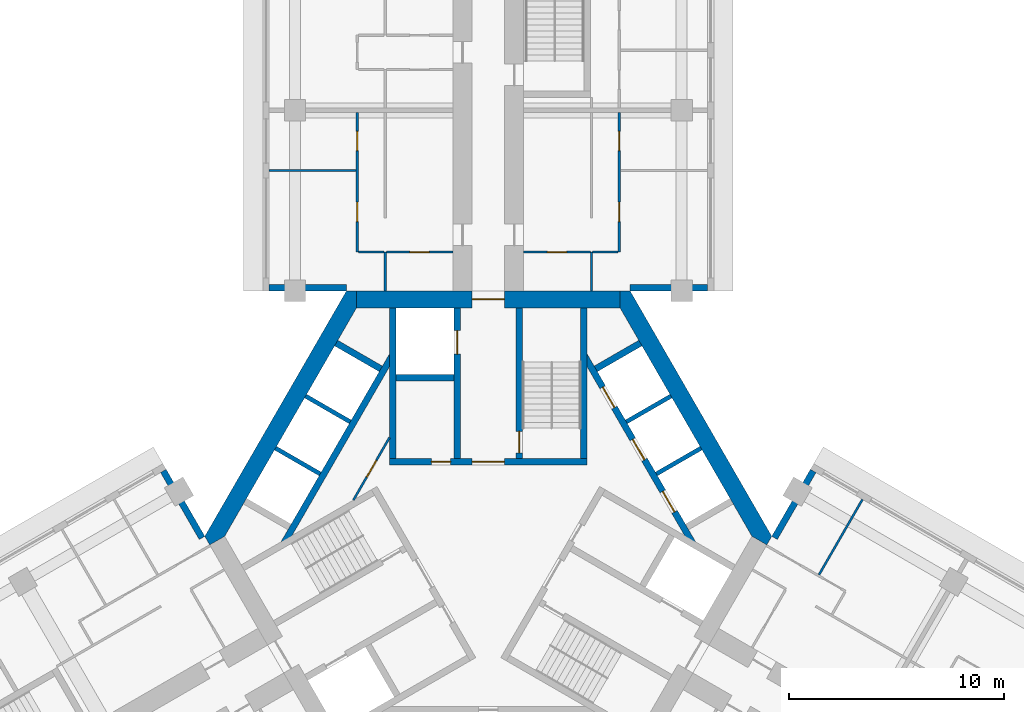
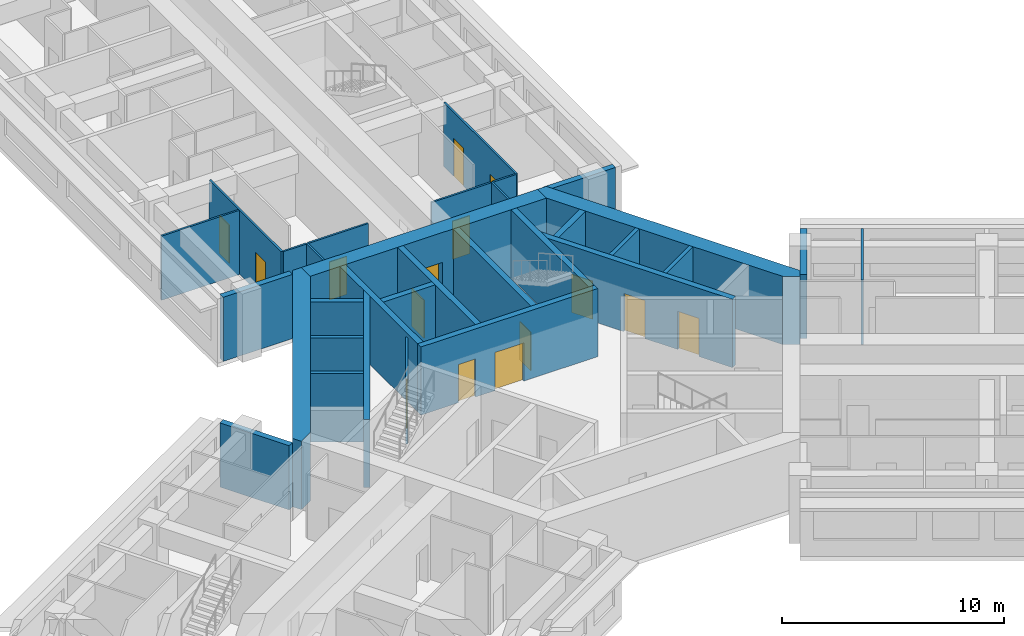
# One storey, part 8 of 16: 32 walls, 15 doors, 15 openings.
"""IFC4 building model written with IfcOpenShell, lengths in metres."""

from ifc_helpers import new_model, si_unit, direction, frame, frame_2d, origin, place, context, subcontext, project, spatial, polyline, rectangle, outline, extrude, material, layer, layer_set, type_object, element, fill, save


model = new_model("IFC4")

# Units and contexts
model_context = context("Model", 3, precision=1e-05, world=origin(), true_north=direction((0.0, 1.0)))
body_context = subcontext(model_context, "Body", "Model", "MODEL_VIEW")
ifc_project = project(units=[si_unit("LENGTHUNIT", "METRE"), si_unit("AREAUNIT", "SQUARE_METRE"), si_unit("VOLUMEUNIT", "CUBIC_METRE"), si_unit("PLANEANGLEUNIT", "RADIAN"), si_unit("MASSUNIT", "GRAM", prefix="KILO")], contexts=[model_context])

# Site, building, storey
site_placement = place(None, origin())
site = spatial("IfcSite", under=ifc_project, at=site_placement, CompositionType="ELEMENT")
building_placement = place(site_placement, origin())
building = spatial("IfcBuilding", under=site, at=building_placement, Name="Impinga Residences", CompositionType="ELEMENT")
storey_placement = place(building_placement, frame((0.0, 0.0, 106.0)))
storey = spatial("IfcBuildingStorey", under=building, at=storey_placement, Name="L25", CompositionType="ELEMENT", Elevation=106.0)

# Wall, opening, door
ifc_material_1 = material(Name="Concrete blockwork", Category="masonry")
ifc_layer_1 = layer(ifc_material_1, 0.10009765625)
ifc_layer_set_1 = layer_set([ifc_layer_1], Name="CP1 core room partition, blockwork 100")
wall_type_1 = type_object("IfcWallType", Name="CP1 core room partition, blockwork 100", PredefinedType="PARTITIONING", material=ifc_layer_set_1)
wall_1_placement = place(storey_placement, frame((-6.280029296875, 1.685791015625, 0.0), z_axis=(0.0, 0.0, 1.0), x_axis=(0.499976138585, 0.866039179741, 0.0)))
wall_1 = element("IfcWall", 1, at=wall_1_placement, inside=storey, type_object=wall_type_1, Name="Core room partition, blockwork L25:CORE:high:FP", PredefinedType="PARTITIONING", context=body_context, shape_type="SweptSolid", body=[
    extrude(rectangle(XDim=3.360107421875, YDim=0.10009765625, at=frame_2d((1.68017578125, 0.0))), origin(), (0.0, 0.0, 1.0), 3.530029296875),
])
opening_1_placement = place(wall_1_placement, frame((1.22998046875, 0.0, 0.0)))
opening_1 = element("IfcOpeningElement", 2, at=opening_1_placement, cuts=wall_1, Name="Opening D6", PredefinedType="OPENING", context=body_context, shape_type="SweptSolid", body=[
    extrude(rectangle(XDim=0.89990234375, YDim=2.10009765625, at=frame_2d((0.449951171875, 1.050048828125))), frame((0.0, 0.06005859375, 0.0), z_axis=(0.0, -1.0, 0.0), x_axis=(1.0, 0.0, 0.0)), (0.0, 0.0, 1.0), 0.1201171875),
])
ifc_material_2 = material(Name="Timber door set", Category="wood")
door_type_1 = type_object("IfcDoorType", Name="D6 riser and store door 900x2100", OperationType="SINGLE_SWING_LEFT", PredefinedType="DOOR", material=ifc_material_2)
door_1_placement = place(opening_1_placement, origin())
door_1 = element("IfcDoor", 3, at=door_1_placement, inside=storey, type_object=door_type_1, Name="Refuse and recycling room door", OperationType="SINGLE_SWING_RIGHT", OverallHeight=2.10009765625, OverallWidth=0.89990234375, PredefinedType="DOOR", context=body_context, shape_type="SweptSolid", body=[
    extrude(rectangle(XDim=0.89990234375, YDim=2.10009765625, at=frame_2d((0.449951171875, 1.050048828125))), frame((0.0, 0.02490234375, 0.0), z_axis=(0.0, -1.0, 0.0), x_axis=(1.0, 0.0, 0.0)), (0.0, 0.0, 1.0), 0.050048828125),
])
fill(opening_1, door_1)

# Walls
ifc_material_3 = material(Name="Terracotta rainscreen on blockwork", Category="masonry")
ifc_layer_2 = layer(ifc_material_3, 0.300048828125)
ifc_layer_set_2 = layer_set([ifc_layer_2], Name="EW1 external wall, terracotta rainscreen on blockwork 300")
wall_type_2 = type_object("IfcWallType", Name="EW1 external wall, terracotta rainscreen on blockwork 300", PredefinedType="SOLIDWALL", material=ifc_layer_set_2)
wall_2_placement = place(storey_placement, frame((-15.1298828125, 3.042724609375, 0.0), z_axis=(0.0, 0.0, 1.0), x_axis=(0.500012057535, -0.866018442252, 0.0)))
element("IfcWall", 4, at=wall_2_placement, inside=storey, type_object=wall_type_2, Name="External wall EW1 L25", PredefinedType="SOLIDWALL", context=body_context, shape_type="SweptSolid", body=[
    extrude(rectangle(XDim=3.60009765625, YDim=0.300048828125, at=frame_2d((1.800048828125, 0.0))), origin(), (0.0, 0.0, 1.0), 3.530029296875),
])
for number, where, z_axis, x_axis, name in (
    (5, (-6.60009765625, 11.58154296875, 0.0), (0.0, 0.0, 1.0), (-1.0, 0.0, 0.0), "External wall EW1 L25"),
    (6, (10.199951171875, 11.58154296875, 0.0), (0.0, 0.0, 1.0), (-1.0, 0.0, 0.0), "External wall EW1 L25"),
):
    element("IfcWall", number, at=place(storey_placement, frame(where, z_axis=z_axis, x_axis=x_axis)), inside=storey, type_object=wall_type_2, Name=name, PredefinedType="SOLIDWALL", context=body_context, shape_type="SweptSolid", body=[
        extrude(rectangle(XDim=3.599853515625, YDim=0.300048828125, at=frame_2d((1.7998046875, 0.0))), origin(), (0.0, 0.0, 1.0), 3.530029296875),
    ])
wall_3_placement = place(storey_placement, frame((13.329833984375, -0.074951171875, 0.0), z_axis=(0.0, 0.0, 1.0), x_axis=(0.500012057535, 0.866018442252, 0.0)))
element("IfcWall", 7, at=wall_3_placement, inside=storey, type_object=wall_type_2, Name="External wall EW1 L25", PredefinedType="SOLIDWALL", context=body_context, shape_type="SweptSolid", body=[
    extrude(rectangle(XDim=3.60009765625, YDim=0.300048828125, at=frame_2d((1.800048828125, 0.0))), origin(), (0.0, 0.0, 1.0), 3.530029296875),
])
ifc_material_4 = material(Name="Gypsum board on steel studs", Category="steel")
ifc_layer_3 = layer(ifc_material_4, 0.10009765625)
ifc_layer_set_3 = layer_set([ifc_layer_3], Name="Gypsum board on steel studs")
wall_type_3 = type_object("IfcWallType", Name="IP1 partition 100", PredefinedType="PARTITIONING", material=ifc_layer_set_3)
wall_4_placement = place(storey_placement, frame((-4.800048828125, 11.431640625, 0.0), z_axis=(0.0, 0.0, 1.0), x_axis=(0.0, 1.0, 0.0)))
element("IfcWall", 8, at=wall_4_placement, inside=storey, type_object=wall_type_3, Name="Partition L25-NA1:DIV0", PredefinedType="PARTITIONING", context=body_context, shape_type="SweptSolid", body=[
    extrude(rectangle(XDim=1.7998046875, YDim=0.10009765625, at=frame_2d((0.89990234375, 0.0))), origin(), (0.0, 0.0, 1.0), 3.530029296875),
])

# Wall, openings, doors
wall_5_placement = place(storey_placement, frame((-6.10009765625, 13.2314453125, 0.0), z_axis=(0.0, 0.0, 1.0), x_axis=(0.0, 1.0, 0.0)))
wall_5 = element("IfcWall", 9, at=wall_5_placement, inside=storey, type_object=wall_type_3, Name="Partition L25-NA1:STRIP", PredefinedType="PARTITIONING", context=body_context, shape_type="SweptSolid", body=[
    extrude(rectangle(XDim=6.5, YDim=0.10009765625, at=frame_2d((3.25, 0.0))), origin(), (0.0, 0.0, 1.0), 3.530029296875),
])
opening_2_placement = place(wall_5_placement, frame((1.425048828125, 0.0, 0.0)))
opening_2 = element("IfcOpeningElement", 10, at=opening_2_placement, cuts=wall_5, Name="Opening D2", PredefinedType="OPENING", context=body_context, shape_type="SweptSolid", body=[
    extrude(rectangle(XDim=0.89990234375, YDim=2.10009765625, at=frame_2d((0.449951171875, 1.050048828125))), frame((0.0, 0.06005859375, 0.0), z_axis=(0.0, -1.0, 0.0), x_axis=(1.0, 0.0, 0.0)), (0.0, 0.0, 1.0), 0.1201171875),
])
opening_3_placement = place(wall_5_placement, frame((4.72509765625, 0.0, 0.0)))
opening_3 = element("IfcOpeningElement", 11, at=opening_3_placement, cuts=wall_5, Name="Opening D2", PredefinedType="OPENING", context=body_context, shape_type="SweptSolid", body=[
    extrude(rectangle(XDim=0.89990234375, YDim=2.10009765625, at=frame_2d((0.449951171875, 1.050048828125))), frame((0.0, 0.06005859375, 0.0), z_axis=(0.0, -1.0, 0.0), x_axis=(1.0, 0.0, 0.0)), (0.0, 0.0, 1.0), 0.1201171875),
])
door_type_2 = type_object("IfcDoorType", Name="D2 internal door 900x2100", OperationType="SINGLE_SWING_LEFT", PredefinedType="DOOR", material=ifc_material_2)
door_2_placement = place(opening_2_placement, origin())
door_2 = element("IfcDoor", 12, at=door_2_placement, inside=storey, type_object=door_type_2, Name="Apartment L25-NA1 room door", OperationType="SINGLE_SWING_LEFT", OverallHeight=2.10009765625, OverallWidth=0.89990234375, PredefinedType="DOOR", context=body_context, shape_type="SweptSolid", body=[
    extrude(rectangle(XDim=0.89990234375, YDim=2.10009765625, at=frame_2d((0.449951171875, 1.050048828125))), frame((0.0, 0.02490234375, 0.0), z_axis=(0.0, -1.0, 0.0), x_axis=(1.0, 0.0, 0.0)), (0.0, 0.0, 1.0), 0.050048828125),
])
fill(opening_2, door_2)
door_3_placement = place(opening_3_placement, origin())
door_3 = element("IfcDoor", 13, at=door_3_placement, inside=storey, type_object=door_type_2, Name="Apartment L25-NA1 room door", OperationType="SINGLE_SWING_RIGHT", OverallHeight=2.10009765625, OverallWidth=0.89990234375, PredefinedType="DOOR", context=body_context, shape_type="SweptSolid", body=[
    extrude(rectangle(XDim=0.89990234375, YDim=2.10009765625, at=frame_2d((0.449951171875, 1.050048828125))), frame((0.0, 0.02490234375, 0.0), z_axis=(0.0, -1.0, 0.0), x_axis=(1.0, 0.0, 0.0)), (0.0, 0.0, 1.0), 0.050048828125),
])
fill(opening_3, door_3)

# Wall
wall_6_placement = place(storey_placement, frame((-4.85009765625, 13.2314453125, 0.0), z_axis=(0.0, 0.0, 1.0), x_axis=(-1.0, 0.0, 0.0)))
element("IfcWall", 14, at=wall_6_placement, inside=storey, type_object=wall_type_3, Name="Partition L25-NA1:SE0", PredefinedType="PARTITIONING", context=body_context, shape_type="SweptSolid", body=[
    extrude(rectangle(XDim=1.199951171875, YDim=0.10009765625, at=frame_2d((0.60009765625, 0.0))), origin(), (0.0, 0.0, 1.0), 3.530029296875),
])

# Wall, opening, door
wall_7_placement = place(storey_placement, frame((-1.64990234375, 13.2314453125, 0.0), z_axis=(0.0, 0.0, 1.0), x_axis=(-1.0, 0.0, 0.0)))
wall_7 = element("IfcWall", 15, at=wall_7_placement, inside=storey, type_object=wall_type_3, Name="Partition L25-NA1:IB1", PredefinedType="PARTITIONING", context=body_context, shape_type="SweptSolid", body=[
    extrude(rectangle(XDim=3.10009765625, YDim=0.10009765625, at=frame_2d((1.550048828125, 0.0))), origin(), (0.0, 0.0, 1.0), 3.530029296875),
])
opening_4_placement = place(wall_7_placement, frame((1.10009765625, 0.0, 0.0)))
opening_4 = element("IfcOpeningElement", 16, at=opening_4_placement, cuts=wall_7, Name="Opening D2", PredefinedType="OPENING", context=body_context, shape_type="SweptSolid", body=[
    extrude(rectangle(XDim=0.89990234375, YDim=2.10009765625, at=frame_2d((0.449951171875, 1.050048828125))), frame((0.0, 0.06005859375, 0.0), z_axis=(0.0, -1.0, 0.0), x_axis=(1.0, 0.0, 0.0)), (0.0, 0.0, 1.0), 0.1201171875),
])
door_4_placement = place(opening_4_placement, origin())
door_4 = element("IfcDoor", 17, at=door_4_placement, inside=storey, type_object=door_type_2, Name="Apartment L25-NA1 bathroom door", OperationType="SINGLE_SWING_LEFT", OverallHeight=2.10009765625, OverallWidth=0.89990234375, PredefinedType="DOOR", context=body_context, shape_type="SweptSolid", body=[
    extrude(rectangle(XDim=0.89990234375, YDim=2.10009765625, at=frame_2d((0.449951171875, 1.050048828125))), frame((0.0, 0.02490234375, 0.0), z_axis=(0.0, -1.0, 0.0), x_axis=(1.0, 0.0, 0.0)), (0.0, 0.0, 1.0), 0.050048828125),
])
fill(opening_4, door_4)

# Walls
wall_8_placement = place(storey_placement, frame((-6.14990234375, 17.031494140625, 0.0), z_axis=(0.0, 0.0, 1.0), x_axis=(-1.0, 0.0, 0.0)))
element("IfcWall", 18, at=wall_8_placement, inside=storey, type_object=wall_type_3, Name="Partition L25-NA1:OB1", PredefinedType="PARTITIONING", context=body_context, shape_type="SweptSolid", body=[
    extrude(rectangle(XDim=4.050048828125, YDim=0.10009765625, at=frame_2d((2.02490234375, 0.0))), origin(), (0.0, 0.0, 1.0), 3.530029296875),
])
wall_9_placement = place(storey_placement, frame((4.800048828125, 11.431640625, 0.0), z_axis=(0.0, 0.0, 1.0), x_axis=(0.0, 1.0, 0.0)))
element("IfcWall", 19, at=wall_9_placement, inside=storey, type_object=wall_type_3, Name="Partition L25-NF1:DIV0", PredefinedType="PARTITIONING", context=body_context, shape_type="SweptSolid", body=[
    extrude(rectangle(XDim=1.7998046875, YDim=0.10009765625, at=frame_2d((0.89990234375, 0.0))), origin(), (0.0, 0.0, 1.0), 3.530029296875),
])

# Wall, openings, doors
wall_10_placement = place(storey_placement, frame((6.10009765625, 13.2314453125, 0.0), z_axis=(0.0, 0.0, 1.0), x_axis=(0.0, 1.0, 0.0)))
wall_10 = element("IfcWall", 20, at=wall_10_placement, inside=storey, type_object=wall_type_3, Name="Partition L25-NF1:STRIP", PredefinedType="PARTITIONING", context=body_context, shape_type="SweptSolid", body=[
    extrude(rectangle(XDim=6.5, YDim=0.10009765625, at=frame_2d((3.25, 0.0))), origin(), (0.0, 0.0, 1.0), 3.530029296875),
])
opening_5_placement = place(wall_10_placement, frame((1.425048828125, 0.0, 0.0)))
opening_5 = element("IfcOpeningElement", 21, at=opening_5_placement, cuts=wall_10, Name="Opening D2", PredefinedType="OPENING", context=body_context, shape_type="SweptSolid", body=[
    extrude(rectangle(XDim=0.89990234375, YDim=2.10009765625, at=frame_2d((0.449951171875, 1.050048828125))), frame((0.0, 0.06005859375, 0.0), z_axis=(0.0, -1.0, 0.0), x_axis=(1.0, 0.0, 0.0)), (0.0, 0.0, 1.0), 0.1201171875),
])
opening_6_placement = place(wall_10_placement, frame((4.72509765625, 0.0, 0.0)))
opening_6 = element("IfcOpeningElement", 22, at=opening_6_placement, cuts=wall_10, Name="Opening D2", PredefinedType="OPENING", context=body_context, shape_type="SweptSolid", body=[
    extrude(rectangle(XDim=0.89990234375, YDim=2.10009765625, at=frame_2d((0.449951171875, 1.050048828125))), frame((0.0, 0.06005859375, 0.0), z_axis=(0.0, -1.0, 0.0), x_axis=(1.0, 0.0, 0.0)), (0.0, 0.0, 1.0), 0.1201171875),
])
door_5_placement = place(opening_5_placement, origin())
door_5 = element("IfcDoor", 23, at=door_5_placement, inside=storey, type_object=door_type_2, Name="Apartment L25-NF1 room door", OperationType="SINGLE_SWING_LEFT", OverallHeight=2.10009765625, OverallWidth=0.89990234375, PredefinedType="DOOR", context=body_context, shape_type="SweptSolid", body=[
    extrude(rectangle(XDim=0.89990234375, YDim=2.10009765625, at=frame_2d((0.449951171875, 1.050048828125))), frame((0.0, 0.02490234375, 0.0), z_axis=(0.0, -1.0, 0.0), x_axis=(1.0, 0.0, 0.0)), (0.0, 0.0, 1.0), 0.050048828125),
])
fill(opening_5, door_5)
door_6_placement = place(opening_6_placement, origin())
door_6 = element("IfcDoor", 24, at=door_6_placement, inside=storey, type_object=door_type_2, Name="Apartment L25-NF1 room door", OperationType="SINGLE_SWING_RIGHT", OverallHeight=2.10009765625, OverallWidth=0.89990234375, PredefinedType="DOOR", context=body_context, shape_type="SweptSolid", body=[
    extrude(rectangle(XDim=0.89990234375, YDim=2.10009765625, at=frame_2d((0.449951171875, 1.050048828125))), frame((0.0, 0.02490234375, 0.0), z_axis=(0.0, -1.0, 0.0), x_axis=(1.0, 0.0, 0.0)), (0.0, 0.0, 1.0), 0.050048828125),
])
fill(opening_6, door_6)

# Wall
wall_11_placement = place(storey_placement, frame((4.85009765625, 13.2314453125, 0.0), z_axis=(0.0, 0.0, 1.0), x_axis=(1.0, 0.0, 0.0)))
element("IfcWall", 25, at=wall_11_placement, inside=storey, type_object=wall_type_3, Name="Partition L25-NF1:SE0", PredefinedType="PARTITIONING", context=body_context, shape_type="SweptSolid", body=[
    extrude(rectangle(XDim=1.199951171875, YDim=0.10009765625, at=frame_2d((0.60009765625, 0.0))), origin(), (0.0, 0.0, 1.0), 3.530029296875),
])

# Wall, opening, door
wall_12_placement = place(storey_placement, frame((1.64990234375, 13.2314453125, 0.0), z_axis=(0.0, 0.0, 1.0), x_axis=(1.0, 0.0, 0.0)))
wall_12 = element("IfcWall", 26, at=wall_12_placement, inside=storey, type_object=wall_type_3, Name="Partition L25-NF1:IB1", PredefinedType="PARTITIONING", context=body_context, shape_type="SweptSolid", body=[
    extrude(rectangle(XDim=3.10009765625, YDim=0.10009765625, at=frame_2d((1.550048828125, 0.0))), origin(), (0.0, 0.0, 1.0), 3.530029296875),
])
opening_7_placement = place(wall_12_placement, frame((1.10009765625, 0.0, 0.0)))
opening_7 = element("IfcOpeningElement", 27, at=opening_7_placement, cuts=wall_12, Name="Opening D2", PredefinedType="OPENING", context=body_context, shape_type="SweptSolid", body=[
    extrude(rectangle(XDim=0.89990234375, YDim=2.10009765625, at=frame_2d((0.449951171875, 1.050048828125))), frame((0.0, 0.06005859375, 0.0), z_axis=(0.0, -1.0, 0.0), x_axis=(1.0, 0.0, 0.0)), (0.0, 0.0, 1.0), 0.1201171875),
])
door_7_placement = place(opening_7_placement, origin())
door_7 = element("IfcDoor", 28, at=door_7_placement, inside=storey, type_object=door_type_2, Name="Apartment L25-NF1 bathroom door", OperationType="SINGLE_SWING_LEFT", OverallHeight=2.10009765625, OverallWidth=0.89990234375, PredefinedType="DOOR", context=body_context, shape_type="SweptSolid", body=[
    extrude(rectangle(XDim=0.89990234375, YDim=2.10009765625, at=frame_2d((0.449951171875, 1.050048828125))), frame((0.0, 0.02490234375, 0.0), z_axis=(0.0, -1.0, 0.0), x_axis=(1.0, 0.0, 0.0)), (0.0, 0.0, 1.0), 0.050048828125),
])
fill(opening_7, door_7)

# Wall
wall_13_placement = place(storey_placement, frame((15.39990234375, -1.789794921875, 0.0), z_axis=(0.0, 0.0, 1.0), x_axis=(0.499964223975, 0.866046058097, 0.0)))
element("IfcWall", 29, at=wall_13_placement, inside=storey, type_object=wall_type_3, Name="Partition L25-EA1:OB1", PredefinedType="PARTITIONING", context=body_context, shape_type="SweptSolid", body=[
    extrude(rectangle(XDim=4.050048828125, YDim=0.10009765625, at=frame_2d((2.02490234375, 0.0))), origin(), (0.0, 0.0, 1.0), 3.530029296875),
])

# Wall, opening, door
ifc_material_5 = material(Name="Concrete C60/75", Category="concrete")
ifc_layer_4 = layer(ifc_material_5, 0.800048828125)
ifc_layer_set_4 = layer_set([ifc_layer_4], Name="Concrete C60/75")
wall_type_4 = type_object("IfcWallType", Name="SW2 core wall 800", PredefinedType="SHEAR", material=ifc_layer_set_4)
wall_14_placement = place(storey_placement, frame((-6.13818359375, 11.031494140625, 0.0), z_axis=(0.0, 0.0, 1.0), x_axis=(1.0, 0.0, 0.0)))
wall_14 = element("IfcWall", 30, at=wall_14_placement, inside=storey, type_object=wall_type_4, Name="Core wall SW2 N:FACE L25", PredefinedType="SHEAR", context=body_context, shape_type="SweptSolid", body=[
    extrude(rectangle(XDim=12.2763671875, YDim=0.800048828125, at=frame_2d((6.13818359375, 0.0))), origin(), (0.0, 0.0, 1.0), 3.75),
])
opening_8_placement = place(wall_14_placement, frame((5.38818359375, 0.0, 0.0)))
opening_8 = element("IfcOpeningElement", 31, at=opening_8_placement, cuts=wall_14, Name="Opening D4", PredefinedType="OPENING", context=body_context, shape_type="SweptSolid", body=[
    extrude(rectangle(XDim=1.5, YDim=2.10009765625, at=frame_2d((0.75, 1.050048828125))), frame((0.0, 0.409912109375, 0.0), z_axis=(0.0, -1.0, 0.0), x_axis=(1.0, 0.0, 0.0)), (0.0, 0.0, 1.0), 0.820068359375),
])
door_type_3 = type_object("IfcDoorType", Name="D4 lobby door pair 1500x2100", OperationType="DOUBLE_DOOR_DOUBLE_SWING", PredefinedType="DOOR", material=ifc_material_2)
door_8_placement = place(opening_8_placement, origin())
door_8 = element("IfcDoor", 32, at=door_8_placement, inside=storey, type_object=door_type_3, Name="Lobby door N", OperationType="DOUBLE_DOOR_DOUBLE_SWING", OverallHeight=2.10009765625, OverallWidth=1.5, PredefinedType="DOOR", context=body_context, shape_type="SweptSolid", body=[
    extrude(rectangle(XDim=1.5, YDim=2.10009765625, at=frame_2d((0.75, 1.050048828125))), frame((0.0, 0.02490234375, 0.0), z_axis=(0.0, -1.0, 0.0), x_axis=(1.0, 0.0, 0.0)), (0.0, 0.0, 1.0), 0.050048828125),
])
fill(opening_8, door_8)

# Walls
wall_15_placement = place(storey_placement, origin())
element("IfcWall", 33, at=wall_15_placement, inside=storey, type_object=wall_type_4, Name="Core wall SW2 W:EXPOSED L25", PredefinedType="SHEAR", context=body_context, shape_type="SweptSolid", body=[
    extrude(outline(polyline([(13.199951171875, 0.0), (6.60009765625, 11.431640625), (6.13818359375, 11.431640625), (6.13818359375, 10.631591796875), (12.276123046875, 0.0), (12.968994140625, -0.39990234375), (13.199951171875, 0.0)])), origin(), (0.0, 0.0, 1.0), 3.75),
])
wall_16_placement = place(storey_placement, origin())
element("IfcWall", 34, at=wall_16_placement, inside=storey, type_object=wall_type_4, Name="Core wall SW2 E:EXPOSED L25", PredefinedType="SHEAR", context=body_context, shape_type="SweptSolid", body=[
    extrude(outline(polyline([(-6.60009765625, 11.431640625), (-13.199951171875, 0.0), (-12.968994140625, -0.39990234375), (-12.276123046875, 0.0), (-6.13818359375, 10.631591796875), (-6.13818359375, 11.431640625), (-6.60009765625, 11.431640625)])), origin(), (0.0, 0.0, 1.0), 3.75),
])

# Wall, openings, doors
ifc_material_6 = material(Name="Concrete C70/85", Category="concrete")
ifc_layer_5 = layer(ifc_material_6, 0.300048828125)
ifc_layer_set_5 = layer_set([ifc_layer_5], Name="Concrete C70/85")
wall_type_5 = type_object("IfcWallType", Name="SW5 core inner wall, stairs, shafts and lobbies 300", PredefinedType="SHEAR", material=ifc_layer_set_5)
wall_17_placement = place(storey_placement, frame((-4.60009765625, 3.47998046875, 0.0), z_axis=(0.0, 0.0, 1.0), x_axis=(1.0, 0.0, 0.0)))
wall_17 = element("IfcWall", 35, at=wall_17_placement, inside=storey, type_object=wall_type_5, Name="Core wall SW5 N:ZONE L25", PredefinedType="SHEAR", context=body_context, shape_type="SweptSolid", body=[
    extrude(rectangle(XDim=9.2001953125, YDim=0.300048828125, at=frame_2d((4.60009765625, 0.0))), origin(), (0.0, 0.0, 1.0), 3.75),
])
opening_9_placement = place(wall_17_placement, frame((3.85009765625, 0.0, 0.0)))
opening_9 = element("IfcOpeningElement", 36, at=opening_9_placement, cuts=wall_17, Name="Opening D4", PredefinedType="OPENING", context=body_context, shape_type="SweptSolid", body=[
    extrude(rectangle(XDim=1.5, YDim=2.10009765625, at=frame_2d((0.75, 1.050048828125))), frame((0.0, 0.159912109375, 0.0), z_axis=(0.0, -1.0, 0.0), x_axis=(1.0, 0.0, 0.0)), (0.0, 0.0, 1.0), 0.320068359375),
])
opening_10_placement = place(wall_17_placement, frame((1.949951171875, 0.0, 0.0)))
opening_10 = element("IfcOpeningElement", 37, at=opening_10_placement, cuts=wall_17, Name="Opening D6", PredefinedType="OPENING", context=body_context, shape_type="SweptSolid", body=[
    extrude(rectangle(XDim=0.89990234375, YDim=2.10009765625, at=frame_2d((0.449951171875, 1.050048828125))), frame((0.0, 0.159912109375, 0.0), z_axis=(0.0, -1.0, 0.0), x_axis=(1.0, 0.0, 0.0)), (0.0, 0.0, 1.0), 0.320068359375),
])
door_9_placement = place(opening_9_placement, origin())
door_9 = element("IfcDoor", 38, at=door_9_placement, inside=storey, type_object=door_type_3, Name="Firefighting lobby door N", OperationType="DOUBLE_DOOR_DOUBLE_SWING", OverallHeight=2.10009765625, OverallWidth=1.5, PredefinedType="DOOR", context=body_context, shape_type="SweptSolid", body=[
    extrude(rectangle(XDim=1.5, YDim=2.10009765625, at=frame_2d((0.75, 1.050048828125))), frame((0.0, 0.02490234375, 0.0), z_axis=(0.0, -1.0, 0.0), x_axis=(1.0, 0.0, 0.0)), (0.0, 0.0, 1.0), 0.050048828125),
])
fill(opening_9, door_9)
door_10_placement = place(opening_10_placement, origin())
door_10 = element("IfcDoor", 39, at=door_10_placement, inside=storey, type_object=door_type_1, Name="Riser door N", OperationType="SINGLE_SWING_LEFT", OverallHeight=2.10009765625, OverallWidth=0.89990234375, PredefinedType="DOOR", context=body_context, shape_type="SweptSolid", body=[
    extrude(rectangle(XDim=0.89990234375, YDim=2.10009765625, at=frame_2d((0.449951171875, 1.050048828125))), frame((0.0, 0.02490234375, 0.0), z_axis=(0.0, -1.0, 0.0), x_axis=(1.0, 0.0, 0.0)), (0.0, 0.0, 1.0), 0.050048828125),
])
fill(opening_10, door_10)

# Wall, opening, door
wall_18_placement = place(storey_placement, frame((1.449951171875, 3.6298828125, 0.0), z_axis=(0.0, 0.0, 1.0), x_axis=(0.0, 1.0, 0.0)))
wall_18 = element("IfcWall", 40, at=wall_18_placement, inside=storey, type_object=wall_type_5, Name="Core wall SW5 N:ST-IN L25", PredefinedType="SHEAR", context=body_context, shape_type="SweptSolid", body=[
    extrude(rectangle(XDim=7.001708984375, YDim=0.300048828125, at=frame_2d((3.5009765625, 0.0))), origin(), (0.0, 0.0, 1.0), 3.75),
])
opening_11_placement = place(wall_18_placement, frame((0.25, 0.0, 0.0)))
opening_11 = element("IfcOpeningElement", 41, at=opening_11_placement, cuts=wall_18, Name="Opening D5", PredefinedType="OPENING", context=body_context, shape_type="SweptSolid", body=[
    extrude(rectangle(XDim=1.0, YDim=2.10009765625, at=frame_2d((0.5, 1.050048828125))), frame((0.0, 0.159912109375, 0.0), z_axis=(0.0, -1.0, 0.0), x_axis=(1.0, 0.0, 0.0)), (0.0, 0.0, 1.0), 0.320068359375),
])
door_type_4 = type_object("IfcDoorType", Name="D5 stair door 1000x2100", OperationType="SINGLE_SWING_LEFT", PredefinedType="DOOR", material=ifc_material_2)
door_11_placement = place(opening_11_placement, origin())
door_11 = element("IfcDoor", 42, at=door_11_placement, inside=storey, type_object=door_type_4, Name="Stair door N", OperationType="SINGLE_SWING_LEFT", OverallHeight=2.10009765625, OverallWidth=1.0, PredefinedType="DOOR", context=body_context, shape_type="SweptSolid", body=[
    extrude(rectangle(XDim=1.0, YDim=2.10009765625, at=frame_2d((0.5, 1.050048828125))), frame((0.0, 0.02490234375, 0.0), z_axis=(0.0, -1.0, 0.0), x_axis=(1.0, 0.0, 0.0)), (0.0, 0.0, 1.0), 0.050048828125),
])
fill(opening_11, door_11)

# Wall
wall_19_placement = place(storey_placement, frame((4.449951171875, 3.6298828125, 0.0), z_axis=(0.0, 0.0, 1.0), x_axis=(0.0, 1.0, 0.0)))
element("IfcWall", 43, at=wall_19_placement, inside=storey, type_object=wall_type_5, Name="Core wall SW5 N:ST-OUT L25", PredefinedType="SHEAR", context=body_context, shape_type="SweptSolid", body=[
    extrude(rectangle(XDim=7.001708984375, YDim=0.300048828125, at=frame_2d((3.5009765625, 0.0))), origin(), (0.0, 0.0, 1.0), 3.75),
])

# Wall, opening, door
wall_20_placement = place(storey_placement, frame((-1.449951171875, 3.6298828125, 0.0), z_axis=(0.0, 0.0, 1.0), x_axis=(0.0, 1.0, 0.0)))
wall_20 = element("IfcWall", 44, at=wall_20_placement, inside=storey, type_object=wall_type_5, Name="Core wall SW5 N:FF-IN L25", PredefinedType="SHEAR", context=body_context, shape_type="SweptSolid", body=[
    extrude(rectangle(XDim=7.001708984375, YDim=0.300048828125, at=frame_2d((3.5009765625, 0.0))), origin(), (0.0, 0.0, 1.0), 3.75),
])
opening_12_placement = place(wall_20_placement, frame((4.85009765625, 0.0, 0.0)))
opening_12 = element("IfcOpeningElement", 45, at=opening_12_placement, cuts=wall_20, Name="Opening LD2", PredefinedType="OPENING", context=body_context, shape_type="SweptSolid", body=[
    extrude(rectangle(XDim=1.10009765625, YDim=2.10009765625, at=frame_2d((0.550048828125, 1.050048828125))), frame((0.0, 0.159912109375, 0.0), z_axis=(0.0, -1.0, 0.0), x_axis=(1.0, 0.0, 0.0)), (0.0, 0.0, 1.0), 0.320068359375),
])
ifc_material_7 = material(Name="Steel lift landing door", Category="steel")
door_type_5 = type_object("IfcDoorType", Name="LD2 firefighting lift landing door 1100x2100", OperationType="DOUBLE_DOOR_SLIDING", PredefinedType="DOOR", material=ifc_material_7)
door_12_placement = place(opening_12_placement, origin())
door_12 = element("IfcDoor", 46, at=door_12_placement, inside=storey, type_object=door_type_5, Name="Firefighting lift landing door F1", OperationType="DOUBLE_DOOR_SLIDING", OverallHeight=2.10009765625, OverallWidth=1.10009765625, PredefinedType="DOOR", context=body_context, shape_type="SweptSolid", body=[
    extrude(rectangle(XDim=1.10009765625, YDim=2.10009765625, at=frame_2d((0.550048828125, 1.050048828125))), frame((0.0, 0.02490234375, 0.0), z_axis=(0.0, -1.0, 0.0), x_axis=(1.0, 0.0, 0.0)), (0.0, 0.0, 1.0), 0.050048828125),
])
fill(opening_12, door_12)

# Walls
wall_21_placement = place(storey_placement, frame((-4.449951171875, 3.6298828125, 0.0), z_axis=(0.0, 0.0, 1.0), x_axis=(0.0, 1.0, 0.0)))
element("IfcWall", 47, at=wall_21_placement, inside=storey, type_object=wall_type_5, Name="Core wall SW5 N:FF-OUT L25", PredefinedType="SHEAR", context=body_context, shape_type="SweptSolid", body=[
    extrude(rectangle(XDim=7.001708984375, YDim=0.300048828125, at=frame_2d((3.5009765625, 0.0))), origin(), (0.0, 0.0, 1.0), 3.75),
])
wall_22_placement = place(storey_placement, frame((-4.300048828125, 7.3798828125, 0.0), z_axis=(0.0, 0.0, 1.0), x_axis=(1.0, 0.0, 0.0)))
element("IfcWall", 48, at=wall_22_placement, inside=storey, type_object=wall_type_5, Name="Core wall SW5 N:FF-RS L25", PredefinedType="SHEAR", context=body_context, shape_type="SweptSolid", body=[
    extrude(rectangle(XDim=2.699951171875, YDim=0.300048828125, at=frame_2d((1.35009765625, 0.0))), origin(), (0.0, 0.0, 1.0), 3.75),
])

# Wall, openings, doors
wall_23_placement = place(storey_placement, frame((4.449951171875, 8.455322265625, 0.0), z_axis=(0.0, 0.0, 1.0), x_axis=(0.500002290144, -0.866024081565, 0.0)))
wall_23 = element("IfcWall", 49, at=wall_23_placement, inside=storey, type_object=wall_type_5, Name="Core wall SW5 W:BANK-FRONT L25", PredefinedType="SHEAR", context=body_context, shape_type="SweptSolid", body=[
    extrude(rectangle(XDim=10.1953125, YDim=0.300048828125, at=frame_2d((5.09765625, 0.0))), origin(), (0.0, 0.0, 1.0), 3.75),
])
opening_13_placement = place(wall_23_placement, frame((1.74755859375, 0.0, 0.0)))
opening_13 = element("IfcOpeningElement", 50, at=opening_13_placement, cuts=wall_23, Name="Opening LD1", PredefinedType="OPENING", context=body_context, shape_type="SweptSolid", body=[
    extrude(rectangle(XDim=1.10009765625, YDim=2.10009765625, at=frame_2d((0.550048828125, 1.050048828125))), frame((0.0, 0.159912109375, 0.0), z_axis=(0.0, -1.0, 0.0), x_axis=(1.0, 0.0, 0.0)), (0.0, 0.0, 1.0), 0.320068359375),
])
opening_14_placement = place(wall_23_placement, frame((4.547607421875, 0.0, 0.0)))
opening_14 = element("IfcOpeningElement", 51, at=opening_14_placement, cuts=wall_23, Name="Opening LD1", PredefinedType="OPENING", context=body_context, shape_type="SweptSolid", body=[
    extrude(rectangle(XDim=1.10009765625, YDim=2.10009765625, at=frame_2d((0.550048828125, 1.050048828125))), frame((0.0, 0.159912109375, 0.0), z_axis=(0.0, -1.0, 0.0), x_axis=(1.0, 0.0, 0.0)), (0.0, 0.0, 1.0), 0.320068359375),
])
opening_15_placement = place(wall_23_placement, frame((7.34765625, 0.0, 0.0)))
opening_15 = element("IfcOpeningElement", 52, at=opening_15_placement, cuts=wall_23, Name="Opening LD1", PredefinedType="OPENING", context=body_context, shape_type="SweptSolid", body=[
    extrude(rectangle(XDim=1.10009765625, YDim=2.10009765625, at=frame_2d((0.550048828125, 1.050048828125))), frame((0.0, 0.159912109375, 0.0), z_axis=(0.0, -1.0, 0.0), x_axis=(1.0, 0.0, 0.0)), (0.0, 0.0, 1.0), 0.320068359375),
])
door_type_6 = type_object("IfcDoorType", Name="LD1 passenger lift landing door 1100x2100", OperationType="DOUBLE_DOOR_SLIDING", PredefinedType="DOOR", material=ifc_material_7)
door_13_placement = place(opening_13_placement, origin())
door_13 = element("IfcDoor", 53, at=door_13_placement, inside=storey, type_object=door_type_6, Name="Lift landing door P4", OperationType="DOUBLE_DOOR_SLIDING", OverallHeight=2.10009765625, OverallWidth=1.10009765625, PredefinedType="DOOR", context=body_context, shape_type="SweptSolid", body=[
    extrude(rectangle(XDim=1.10009765625, YDim=2.10009765625, at=frame_2d((0.550048828125, 1.050048828125))), frame((0.0, 0.02490234375, 0.0), z_axis=(0.0, -1.0, 0.0), x_axis=(1.0, 0.0, 0.0)), (0.0, 0.0, 1.0), 0.050048828125),
])
fill(opening_13, door_13)
door_14_placement = place(opening_14_placement, origin())
door_14 = element("IfcDoor", 54, at=door_14_placement, inside=storey, type_object=door_type_6, Name="Lift landing door P5", OperationType="DOUBLE_DOOR_SLIDING", OverallHeight=2.10009765625, OverallWidth=1.10009765625, PredefinedType="DOOR", context=body_context, shape_type="SweptSolid", body=[
    extrude(rectangle(XDim=1.10009765625, YDim=2.10009765625, at=frame_2d((0.550048828125, 1.050048828125))), frame((0.0, 0.02490234375, 0.0), z_axis=(0.0, -1.0, 0.0), x_axis=(1.0, 0.0, 0.0)), (0.0, 0.0, 1.0), 0.050048828125),
])
fill(opening_14, door_14)
door_15_placement = place(opening_15_placement, origin())
door_15 = element("IfcDoor", 55, at=door_15_placement, inside=storey, type_object=door_type_6, Name="Lift landing door P6", OperationType="DOUBLE_DOOR_SLIDING", OverallHeight=2.10009765625, OverallWidth=1.10009765625, PredefinedType="DOOR", context=body_context, shape_type="SweptSolid", body=[
    extrude(rectangle(XDim=1.10009765625, YDim=2.10009765625, at=frame_2d((0.550048828125, 1.050048828125))), frame((0.0, 0.02490234375, 0.0), z_axis=(0.0, -1.0, 0.0), x_axis=(1.0, 0.0, 0.0)), (0.0, 0.0, 1.0), 0.050048828125),
])
fill(opening_15, door_15)

# Walls
wall_24_placement = place(storey_placement, frame((5.003662109375, 7.79638671875, 0.0), z_axis=(0.0, 0.0, 1.0), x_axis=(0.866050077142, 0.499957262057, 0.0)))
element("IfcWall", 56, at=wall_24_placement, inside=storey, type_object=wall_type_5, Name="Core wall SW5 W:BANK-L L25", PredefinedType="SHEAR", context=body_context, shape_type="SweptSolid", body=[
    extrude(rectangle(XDim=2.400146484375, YDim=0.300048828125, at=frame_2d((1.2001953125, 0.0))), origin(), (0.0, 0.0, 1.0), 3.75),
])
wall_25_placement = place(storey_placement, frame((-9.547607421875, -0.3740234375, 0.0), z_axis=(0.0, 0.0, 1.0), x_axis=(0.500002290144, 0.866024081565, 0.0)))
element("IfcWall", 57, at=wall_25_placement, inside=storey, type_object=wall_type_5, Name="Core wall SW5 E:BANK-FRONT L25", PredefinedType="SHEAR", context=body_context, shape_type="SweptSolid", body=[
    extrude(rectangle(XDim=10.1953125, YDim=0.300048828125, at=frame_2d((5.09765625, 0.0))), origin(), (0.0, 0.0, 1.0), 3.75),
])
wall_26_placement = place(storey_placement, frame((-5.003662109375, 7.79638671875, 0.0), z_axis=(0.0, 0.0, 1.0), x_axis=(-0.866050077142, 0.499957262057, 0.0)))
element("IfcWall", 58, at=wall_26_placement, inside=storey, type_object=wall_type_5, Name="Core wall SW5 E:BANK-R L25", PredefinedType="SHEAR", context=body_context, shape_type="SweptSolid", body=[
    extrude(rectangle(XDim=2.400146484375, YDim=0.300048828125, at=frame_2d((1.2001953125, 0.0))), origin(), (0.0, 0.0, 1.0), 3.75),
])
ifc_layer_6 = layer(ifc_material_6, 0.199951171875)
ifc_layer_set_6 = layer_set([ifc_layer_6], Name="Concrete C70/85")
wall_type_6 = type_object("IfcWallType", Name="SW6 lift shaft divider wall 200", PredefinedType="SHEAR", material=ifc_layer_set_6)
wall_27_placement = place(storey_placement, frame((6.4287109375, 5.328125, 0.0), z_axis=(0.0, 0.0, 1.0), x_axis=(0.865980596518, 0.500077600433, 0.0)))
element("IfcWall", 59, at=wall_27_placement, inside=storey, type_object=wall_type_6, Name="Core wall SW6 W:BANK-D1 L25", PredefinedType="SHEAR", context=body_context, shape_type="SweptSolid", body=[
    extrude(rectangle(XDim=2.39990234375, YDim=0.199951171875, at=frame_2d((1.199951171875, 0.0))), origin(), (0.0, 0.0, 1.0), 3.75),
])
for number, where, z_axis, x_axis, name in (
    (60, (7.82861328125, 2.9033203125, 0.0), (0.0, 0.0, 1.0), (0.866050077142, 0.499957262057, 0.0), "Core wall SW6 W:BANK-D2 L25"),
    (61, (-7.82861328125, 2.9033203125, 0.0), (0.0, 0.0, 1.0), (-0.866050077142, 0.499957262057, 0.0), "Core wall SW6 E:BANK-D1 L25"),
):
    element("IfcWall", number, at=place(storey_placement, frame(where, z_axis=z_axis, x_axis=x_axis)), inside=storey, type_object=wall_type_6, Name=name, PredefinedType="SHEAR", context=body_context, shape_type="SweptSolid", body=[
        extrude(rectangle(XDim=2.400146484375, YDim=0.199951171875, at=frame_2d((1.2001953125, 0.0))), origin(), (0.0, 0.0, 1.0), 3.75),
    ])
wall_28_placement = place(storey_placement, frame((-6.4287109375, 5.328125, 0.0), z_axis=(0.0, 0.0, 1.0), x_axis=(-0.865980596518, 0.500077600433, 0.0)))
element("IfcWall", 62, at=wall_28_placement, inside=storey, type_object=wall_type_6, Name="Core wall SW6 E:BANK-D2 L25", PredefinedType="SHEAR", context=body_context, shape_type="SweptSolid", body=[
    extrude(rectangle(XDim=2.39990234375, YDim=0.199951171875, at=frame_2d((1.199951171875, 0.0))), origin(), (0.0, 0.0, 1.0), 3.75),
])

save(model, "model.ifc")
